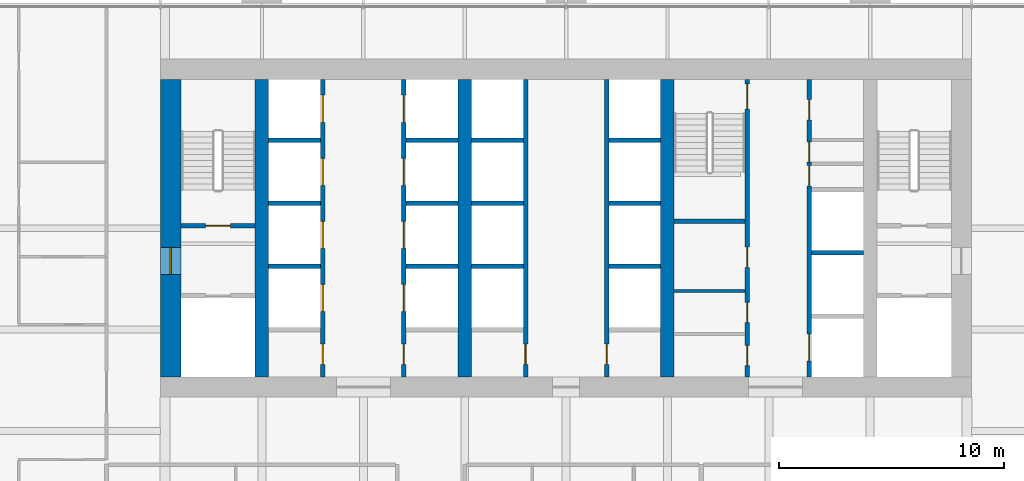
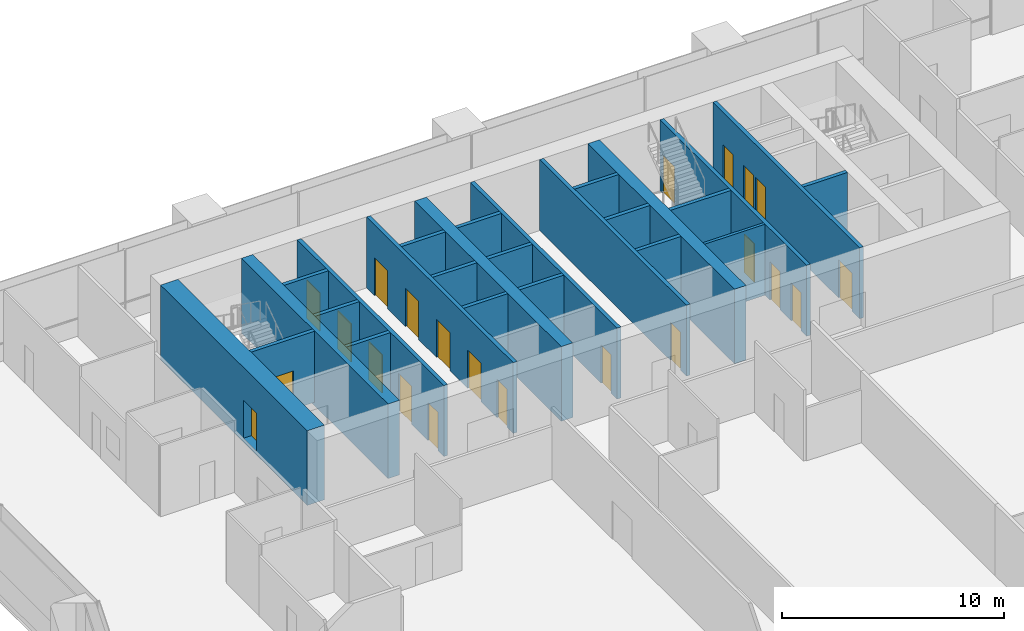
# One storey, part 13 of 19: 26 walls, 22 doors, 22 openings.
"""IFC4 building model written with IfcOpenShell, lengths in metres."""

from ifc_helpers import new_model, si_unit, direction, frame, frame_2d, origin, place, context, subcontext, project, spatial, rectangle, extrude, material, layer, layer_set, type_object, element, fill, save


model = new_model("IFC4")

# Units and contexts
model_context = context("Model", 3, precision=1e-05, world=origin(), true_north=direction((0.0, 1.0)))
body_context = subcontext(model_context, "Body", "Model", "MODEL_VIEW")
ifc_project = project(units=[si_unit("LENGTHUNIT", "METRE"), si_unit("AREAUNIT", "SQUARE_METRE"), si_unit("VOLUMEUNIT", "CUBIC_METRE"), si_unit("PLANEANGLEUNIT", "RADIAN"), si_unit("MASSUNIT", "GRAM", prefix="KILO")], contexts=[model_context])

# Site, building, storey
site_placement = place(None, origin())
site = spatial("IfcSite", under=ifc_project, at=site_placement, CompositionType="ELEMENT")
building_placement = place(site_placement, origin())
building = spatial("IfcBuilding", under=site, at=building_placement, Name="Rattan Terrace Tower", CompositionType="ELEMENT")
storey_placement = place(building_placement, frame((0.0, 0.0, 52.89990234375)))
storey = spatial("IfcBuildingStorey", under=building, at=storey_placement, Name="L11", CompositionType="ELEMENT", Elevation=52.89990234375)

# Wall
ifc_material_1 = material(Name="Gypsum board partition")
ifc_layer_1 = layer(ifc_material_1, 0.14990234375)
ifc_layer_set_1 = layer_set([ifc_layer_1], Name="Core partition 150")
wall_type_1 = type_object("IfcWallType", Name="Core partition 150", PredefinedType="PARTITIONING", material=ifc_layer_set_1)
wall_1_placement = place(storey_placement, frame((4.800048828125, -2.7919921875, 0.0), z_axis=(0.0, 0.0, 1.0), x_axis=(1.0, 0.0, 0.0)))
element("IfcWall", 1, at=wall_1_placement, inside=storey, type_object=wall_type_1, Name="Toilet wall", PredefinedType="PARTITIONING", context=body_context, shape_type="SweptSolid", body=[
    extrude(rectangle(XDim=3.14990234375, YDim=0.14990234375, at=frame_2d((1.574951171875, 0.0))), origin(), (0.0, 0.0, 1.0), 3.900146484375),
])

# Wall, opening, door
ifc_material_2 = material(Name="Gypsum board partition")
ifc_layer_2 = layer(ifc_material_2, 0.199951171875)
ifc_layer_set_2 = layer_set([ifc_layer_2], Name="Core partition 200")
wall_type_2 = type_object("IfcWallType", Name="Core partition 200", PredefinedType="PARTITIONING", material=ifc_layer_set_2)
wall_2_placement = place(storey_placement, frame((-17.10009765625, 0.10009765625, 0.0), z_axis=(0.0, 0.0, 1.0), x_axis=(1.0, 0.0, 0.0)))
wall_2 = element("IfcWall", 2, at=wall_2_placement, inside=storey, type_object=wall_type_2, Name="Stair enclosure wall", PredefinedType="PARTITIONING", context=body_context, shape_type="SweptSolid", body=[
    extrude(rectangle(XDim=3.300048828125, YDim=0.199951171875, at=frame_2d((1.64990234375, 0.0))), origin(), (0.0, 0.0, 1.0), 3.900146484375),
])
opening_1_placement = place(wall_2_placement, frame((1.10009765625, 0.0, 0.0)))
opening_1 = element("IfcOpeningElement", 3, at=opening_1_placement, cuts=wall_2, Name="Opening L11-D002", PredefinedType="OPENING", context=body_context, shape_type="SweptSolid", body=[
    extrude(rectangle(XDim=1.10009765625, YDim=2.10009765625, at=frame_2d((0.550048828125, 1.050048828125))), frame((0.0, 0.110595703125, 0.0), z_axis=(0.0, -1.0, 0.0), x_axis=(1.0, 0.0, 0.0)), (0.0, 0.0, 1.0), 0.220947265625),
])
ifc_material_3 = material(Name="Hollow-metal fire door leaf")
door_type_1 = type_object("IfcDoorType", Name="Core stair door 1100", OperationType="NOTDEFINED", PredefinedType="DOOR", material=ifc_material_3)
door_1_placement = place(opening_1_placement, origin())
door_1 = element("IfcDoor", 4, at=door_1_placement, inside=storey, type_object=door_type_1, Name="Door L11-D002", OperationType="SINGLE_SWING_RIGHT", OverallHeight=2.10009765625, OverallWidth=1.10009765625, PredefinedType="DOOR", context=body_context, shape_type="SweptSolid", body=[
    extrude(rectangle(XDim=1.10009765625, YDim=2.10009765625, at=frame_2d((0.550048828125, 1.050048828125))), frame((0.0, 0.02490234375, 0.0), z_axis=(0.0, -1.0, 0.0), x_axis=(1.0, 0.0, 0.0)), (0.0, 0.0, 1.0), 0.050048828125),
])
fill(opening_1, door_1)

# Wall, openings, doors
wall_3_placement = place(storey_placement, frame((8.050048828125, -6.60009765625, 0.0), z_axis=(0.0, 0.0, 1.0), x_axis=(0.0, 1.0, 0.0)))
wall_3 = element("IfcWall", 5, at=wall_3_placement, inside=storey, type_object=wall_type_2, Name="Lobby wall west", PredefinedType="PARTITIONING", context=body_context, shape_type="SweptSolid", body=[
    extrude(rectangle(XDim=13.2001953125, YDim=0.199951171875, at=frame_2d((6.60009765625, 0.0))), origin(), (0.0, 0.0, 1.0), 3.900146484375),
])
opening_2_placement = place(wall_3_placement, frame((0.501953125, 0.0, 0.0)))
opening_2 = element("IfcOpeningElement", 6, at=opening_2_placement, cuts=wall_3, Name="Opening L11-D011", PredefinedType="OPENING", context=body_context, shape_type="SweptSolid", body=[
    extrude(rectangle(XDim=0.89990234375, YDim=2.10009765625, at=frame_2d((0.449951171875, 1.050048828125))), frame((0.0, 0.110595703125, 0.0), z_axis=(0.0, -1.0, 0.0), x_axis=(1.0, 0.0, 0.0)), (0.0, 0.0, 1.0), 0.220947265625),
])
opening_3_placement = place(wall_3_placement, frame((2.406005859375, 0.0, 0.0)))
opening_3 = element("IfcOpeningElement", 7, at=opening_3_placement, cuts=wall_3, Name="Opening L11-D012", PredefinedType="OPENING", context=body_context, shape_type="SweptSolid", body=[
    extrude(rectangle(XDim=0.89990234375, YDim=2.10009765625, at=frame_2d((0.449951171875, 1.050048828125))), frame((0.0, 0.110595703125, 0.0), z_axis=(0.0, -1.0, 0.0), x_axis=(1.0, 0.0, 0.0)), (0.0, 0.0, 1.0), 0.220947265625),
])
opening_4_placement = place(wall_3_placement, frame((4.85400390625, 0.0, 0.0)))
opening_4 = element("IfcOpeningElement", 8, at=opening_4_placement, cuts=wall_3, Name="Opening L11-D013", PredefinedType="OPENING", context=body_context, shape_type="SweptSolid", body=[
    extrude(rectangle(XDim=0.89990234375, YDim=2.10009765625, at=frame_2d((0.449951171875, 1.050048828125))), frame((0.0, 0.110595703125, 0.0), z_axis=(0.0, -1.0, 0.0), x_axis=(1.0, 0.0, 0.0)), (0.0, 0.0, 1.0), 0.220947265625),
])
opening_5_placement = place(wall_3_placement, frame((11.89990234375, 0.0, 0.0)))
opening_5 = element("IfcOpeningElement", 9, at=opening_5_placement, cuts=wall_3, Name="Opening L11-D014", PredefinedType="OPENING", context=body_context, shape_type="SweptSolid", body=[
    extrude(rectangle(XDim=1.10009765625, YDim=2.10009765625, at=frame_2d((0.550048828125, 1.050048828125))), frame((0.0, 0.110595703125, 0.0), z_axis=(0.0, -1.0, 0.0), x_axis=(1.0, 0.0, 0.0)), (0.0, 0.0, 1.0), 0.220947265625),
])
door_2_placement = place(opening_5_placement, origin())
door_2 = element("IfcDoor", 10, at=door_2_placement, inside=storey, type_object=door_type_1, Name="Door L11-D014", OperationType="SINGLE_SWING_LEFT", OverallHeight=2.10009765625, OverallWidth=1.10009765625, PredefinedType="DOOR", context=body_context, shape_type="SweptSolid", body=[
    extrude(rectangle(XDim=1.10009765625, YDim=2.10009765625, at=frame_2d((0.550048828125, 1.050048828125))), frame((0.0, 0.02490234375, 0.0), z_axis=(0.0, -1.0, 0.0), x_axis=(1.0, 0.0, 0.0)), (0.0, 0.0, 1.0), 0.050048828125),
])
fill(opening_5, door_2)
ifc_material_4 = material(Name="Hollow-metal fire door leaf")
door_type_2 = type_object("IfcDoorType", Name="Core toilet door 900", OperationType="NOTDEFINED", PredefinedType="DOOR", material=ifc_material_4)
door_3_placement = place(opening_2_placement, origin())
door_3 = element("IfcDoor", 11, at=door_3_placement, inside=storey, type_object=door_type_2, Name="Door L11-D011", OperationType="SINGLE_SWING_RIGHT", OverallHeight=2.10009765625, OverallWidth=0.89990234375, PredefinedType="DOOR", context=body_context, shape_type="SweptSolid", body=[
    extrude(rectangle(XDim=0.89990234375, YDim=2.10009765625, at=frame_2d((0.449951171875, 1.050048828125))), frame((0.0, 0.02490234375, 0.0), z_axis=(0.0, -1.0, 0.0), x_axis=(1.0, 0.0, 0.0)), (0.0, 0.0, 1.0), 0.050048828125),
])
fill(opening_2, door_3)
door_4_placement = place(opening_3_placement, origin())
door_4 = element("IfcDoor", 12, at=door_4_placement, inside=storey, type_object=door_type_2, Name="Door L11-D012", OperationType="SINGLE_SWING_LEFT", OverallHeight=2.10009765625, OverallWidth=0.89990234375, PredefinedType="DOOR", context=body_context, shape_type="SweptSolid", body=[
    extrude(rectangle(XDim=0.89990234375, YDim=2.10009765625, at=frame_2d((0.449951171875, 1.050048828125))), frame((0.0, 0.02490234375, 0.0), z_axis=(0.0, -1.0, 0.0), x_axis=(1.0, 0.0, 0.0)), (0.0, 0.0, 1.0), 0.050048828125),
])
fill(opening_3, door_4)
door_5_placement = place(opening_4_placement, origin())
door_5 = element("IfcDoor", 13, at=door_5_placement, inside=storey, type_object=door_type_2, Name="Door L11-D013", OperationType="SINGLE_SWING_RIGHT", OverallHeight=2.10009765625, OverallWidth=0.89990234375, PredefinedType="DOOR", context=body_context, shape_type="SweptSolid", body=[
    extrude(rectangle(XDim=0.89990234375, YDim=2.10009765625, at=frame_2d((0.449951171875, 1.050048828125))), frame((0.0, 0.02490234375, 0.0), z_axis=(0.0, -1.0, 0.0), x_axis=(1.0, 0.0, 0.0)), (0.0, 0.0, 1.0), 0.050048828125),
])
fill(opening_4, door_5)

# Wall
wall_4_placement = place(storey_placement, frame((4.800048828125, 0.300048828125, 0.0), z_axis=(0.0, 0.0, 1.0), x_axis=(1.0, 0.0, 0.0)))
element("IfcWall", 14, at=wall_4_placement, inside=storey, type_object=wall_type_2, Name="Stair enclosure wall", PredefinedType="PARTITIONING", context=body_context, shape_type="SweptSolid", body=[
    extrude(rectangle(XDim=3.14990234375, YDim=0.199951171875, at=frame_2d((1.574951171875, 0.0))), origin(), (0.0, 0.0, 1.0), 3.900146484375),
])

# Wall, opening, door
ifc_material_5 = material(Name="Concrete C70/85", Category="concrete")
ifc_layer_3 = layer(ifc_material_5, 0.89990234375)
ifc_layer_set_3 = layer_set([ifc_layer_3], Name="Core ring wall 900 C70/85")
wall_type_3 = type_object("IfcWallType", Name="Core ring wall 900 C70/85", PredefinedType="SHEAR", material=ifc_layer_set_3)
wall_5_placement = place(storey_placement, frame((-17.550048828125, -6.60009765625, -0.199951171875), z_axis=(0.0, 0.0, 1.0), x_axis=(0.0, 1.0, 0.0)))
wall_5 = element("IfcWall", 15, at=wall_5_placement, inside=storey, type_object=wall_type_3, Name="Rear core wall west", PredefinedType="SHEAR", context=body_context, shape_type="SweptSolid", body=[
    extrude(rectangle(XDim=13.2001953125, YDim=0.89990234375, at=frame_2d((6.60009765625, 0.0))), origin(), (0.0, 0.0, 1.0), 4.10009765625),
])
opening_6_placement = place(wall_5_placement, frame((4.550048828125, 0.0, 0.199951171875)))
opening_6 = element("IfcOpeningElement", 16, at=opening_6_placement, cuts=wall_5, Name="Opening L11-D001", PredefinedType="OPENING", context=body_context, shape_type="SweptSolid", body=[
    extrude(rectangle(XDim=1.199951171875, YDim=2.10009765625, at=frame_2d((0.60009765625, 1.050048828125))), frame((0.0, 0.46044921875, 0.0), z_axis=(0.0, -1.0, 0.0), x_axis=(1.0, 0.0, 0.0)), (0.0, 0.0, 1.0), 0.9208984375),
])
ifc_material_6 = material(Name="Hollow-metal fire door leaf")
door_type_3 = type_object("IfcDoorType", Name="Core fire-fighting lobby door 1200", OperationType="NOTDEFINED", PredefinedType="DOOR", material=ifc_material_6)
door_6_placement = place(opening_6_placement, origin())
door_6 = element("IfcDoor", 17, at=door_6_placement, inside=storey, type_object=door_type_3, Name="Door L11-D001", OperationType="SINGLE_SWING_LEFT", OverallHeight=2.10009765625, OverallWidth=1.199951171875, PredefinedType="DOOR", context=body_context, shape_type="SweptSolid", body=[
    extrude(rectangle(XDim=1.199951171875, YDim=2.10009765625, at=frame_2d((0.60009765625, 1.050048828125))), frame((0.0, 0.02490234375, 0.0), z_axis=(0.0, -1.0, 0.0), x_axis=(1.0, 0.0, 0.0)), (0.0, 0.0, 1.0), 0.050048828125),
])
fill(opening_6, door_6)

# Walls
ifc_material_7 = material(Name="Concrete C70/85", Category="concrete")
ifc_layer_4 = layer(ifc_material_7, 0.60009765625)
ifc_layer_set_4 = layer_set([ifc_layer_4], Name="Core spine wall 600 C70/85")
wall_type_4 = type_object("IfcWallType", Name="Core spine wall 600 C70/85", PredefinedType="SHEAR", material=ifc_layer_set_4)
for number, where, z_axis, x_axis, name in (
    (18, (-13.5, -6.60009765625, -0.199951171875), (0.0, 0.0, 1.0), (0.0, 1.0, 0.0), "Core spine wall 1"),
    (19, (-4.5, -6.60009765625, -0.199951171875), (0.0, 0.0, 1.0), (0.0, 1.0, 0.0), "Core spine wall 2"),
    (20, (4.5, -6.60009765625, -0.199951171875), (0.0, 0.0, 1.0), (0.0, 1.0, 0.0), "Core spine wall 3"),
):
    element("IfcWall", number, at=place(storey_placement, frame(where, z_axis=z_axis, x_axis=x_axis)), inside=storey, type_object=wall_type_4, Name=name, PredefinedType="SHEAR", context=body_context, shape_type="SweptSolid", body=[
        extrude(rectangle(XDim=13.2001953125, YDim=0.60009765625, at=frame_2d((6.60009765625, 0.0))), origin(), (0.0, 0.0, 1.0), 4.10009765625),
    ])

# Wall, openings, doors
ifc_material_8 = material(Name="Gypsum shaft wall system")
ifc_layer_5 = layer(ifc_material_8, 0.199951171875)
ifc_layer_set_5 = layer_set([ifc_layer_5], Name="Lift shaft wall 200")
wall_type_5 = type_object("IfcWallType", Name="Lift shaft wall 200", PredefinedType="PARTITIONING", material=ifc_layer_set_5)
wall_6_placement = place(storey_placement, frame((-10.800048828125, -6.60009765625, 0.0), z_axis=(0.0, 0.0, 1.0), x_axis=(0.0, 1.0, 0.0)))
wall_6 = element("IfcWall", 21, at=wall_6_placement, inside=storey, type_object=wall_type_5, Name="Lift shaft front wall", PredefinedType="PARTITIONING", context=body_context, shape_type="SweptSolid", body=[
    extrude(rectangle(XDim=13.2001953125, YDim=0.199951171875, at=frame_2d((6.60009765625, 0.0))), origin(), (0.0, 0.0, 1.0), 3.900146484375),
])
opening_7_placement = place(wall_6_placement, frame((0.550048828125, 0.0, 0.0)))
opening_7 = element("IfcOpeningElement", 22, at=opening_7_placement, cuts=wall_6, Name="Opening L11-D005", PredefinedType="OPENING", context=body_context, shape_type="SweptSolid", body=[
    extrude(rectangle(XDim=0.89990234375, YDim=2.10009765625, at=frame_2d((0.449951171875, 1.050048828125))), frame((0.0, 0.110595703125, 0.0), z_axis=(0.0, -1.0, 0.0), x_axis=(1.0, 0.0, 0.0)), (0.0, 0.0, 1.0), 0.220947265625),
])
opening_8_placement = place(wall_6_placement, frame((2.89990234375, 0.0, 0.0)))
opening_8 = element("IfcOpeningElement", 23, at=opening_8_placement, cuts=wall_6, Name="Opening L11-LD-LR1", PredefinedType="OPENING", context=body_context, shape_type="SweptSolid", body=[
    extrude(rectangle(XDim=1.199951171875, YDim=2.10009765625, at=frame_2d((0.60009765625, 1.050048828125))), frame((0.0, 0.110595703125, 0.0), z_axis=(0.0, -1.0, 0.0), x_axis=(1.0, 0.0, 0.0)), (0.0, 0.0, 1.0), 0.220947265625),
])
opening_9_placement = place(wall_6_placement, frame((5.699951171875, 0.0, 0.0)))
opening_9 = element("IfcOpeningElement", 24, at=opening_9_placement, cuts=wall_6, Name="Opening L11-LD-LR2", PredefinedType="OPENING", context=body_context, shape_type="SweptSolid", body=[
    extrude(rectangle(XDim=1.199951171875, YDim=2.10009765625, at=frame_2d((0.60009765625, 1.050048828125))), frame((0.0, 0.110595703125, 0.0), z_axis=(0.0, -1.0, 0.0), x_axis=(1.0, 0.0, 0.0)), (0.0, 0.0, 1.0), 0.220947265625),
])
opening_10_placement = place(wall_6_placement, frame((8.5, 0.0, 0.0)))
opening_10 = element("IfcOpeningElement", 25, at=opening_10_placement, cuts=wall_6, Name="Opening L11-LD-LR3", PredefinedType="OPENING", context=body_context, shape_type="SweptSolid", body=[
    extrude(rectangle(XDim=1.199951171875, YDim=2.10009765625, at=frame_2d((0.60009765625, 1.050048828125))), frame((0.0, 0.110595703125, 0.0), z_axis=(0.0, -1.0, 0.0), x_axis=(1.0, 0.0, 0.0)), (0.0, 0.0, 1.0), 0.220947265625),
])
opening_11_placement = place(wall_6_placement, frame((11.300048828125, 0.0, 0.0)))
opening_11 = element("IfcOpeningElement", 26, at=opening_11_placement, cuts=wall_6, Name="Opening L11-LD-LR4", PredefinedType="OPENING", context=body_context, shape_type="SweptSolid", body=[
    extrude(rectangle(XDim=1.199951171875, YDim=2.10009765625, at=frame_2d((0.60009765625, 1.050048828125))), frame((0.0, 0.110595703125, 0.0), z_axis=(0.0, -1.0, 0.0), x_axis=(1.0, 0.0, 0.0)), (0.0, 0.0, 1.0), 0.220947265625),
])
ifc_material_9 = material(Name="Brushed stainless landing door panel")
door_type_4 = type_object("IfcDoorType", Name="Core lift landing door 1200", OperationType="DOUBLE_DOOR_SLIDING", PredefinedType="DOOR", material=ifc_material_9)
door_7_placement = place(opening_8_placement, origin())
door_7 = element("IfcDoor", 27, at=door_7_placement, inside=storey, type_object=door_type_4, Name="Door L11-LD-LR1", OperationType="DOUBLE_DOOR_SLIDING", OverallHeight=2.10009765625, OverallWidth=1.199951171875, PredefinedType="DOOR", context=body_context, shape_type="SweptSolid", body=[
    extrude(rectangle(XDim=1.199951171875, YDim=2.10009765625, at=frame_2d((0.60009765625, 1.050048828125))), frame((0.0, 0.02490234375, 0.0), z_axis=(0.0, -1.0, 0.0), x_axis=(1.0, 0.0, 0.0)), (0.0, 0.0, 1.0), 0.050048828125),
])
fill(opening_8, door_7)
door_8_placement = place(opening_9_placement, origin())
door_8 = element("IfcDoor", 28, at=door_8_placement, inside=storey, type_object=door_type_4, Name="Door L11-LD-LR2", OperationType="DOUBLE_DOOR_SLIDING", OverallHeight=2.10009765625, OverallWidth=1.199951171875, PredefinedType="DOOR", context=body_context, shape_type="SweptSolid", body=[
    extrude(rectangle(XDim=1.199951171875, YDim=2.10009765625, at=frame_2d((0.60009765625, 1.050048828125))), frame((0.0, 0.02490234375, 0.0), z_axis=(0.0, -1.0, 0.0), x_axis=(1.0, 0.0, 0.0)), (0.0, 0.0, 1.0), 0.050048828125),
])
fill(opening_9, door_8)
door_9_placement = place(opening_10_placement, origin())
door_9 = element("IfcDoor", 29, at=door_9_placement, inside=storey, type_object=door_type_4, Name="Door L11-LD-LR3", OperationType="DOUBLE_DOOR_SLIDING", OverallHeight=2.10009765625, OverallWidth=1.199951171875, PredefinedType="DOOR", context=body_context, shape_type="SweptSolid", body=[
    extrude(rectangle(XDim=1.199951171875, YDim=2.10009765625, at=frame_2d((0.60009765625, 1.050048828125))), frame((0.0, 0.02490234375, 0.0), z_axis=(0.0, -1.0, 0.0), x_axis=(1.0, 0.0, 0.0)), (0.0, 0.0, 1.0), 0.050048828125),
])
fill(opening_10, door_9)
door_10_placement = place(opening_11_placement, origin())
door_10 = element("IfcDoor", 30, at=door_10_placement, inside=storey, type_object=door_type_4, Name="Door L11-LD-LR4", OperationType="DOUBLE_DOOR_SLIDING", OverallHeight=2.10009765625, OverallWidth=1.199951171875, PredefinedType="DOOR", context=body_context, shape_type="SweptSolid", body=[
    extrude(rectangle(XDim=1.199951171875, YDim=2.10009765625, at=frame_2d((0.60009765625, 1.050048828125))), frame((0.0, 0.02490234375, 0.0), z_axis=(0.0, -1.0, 0.0), x_axis=(1.0, 0.0, 0.0)), (0.0, 0.0, 1.0), 0.050048828125),
])
fill(opening_11, door_10)
ifc_material_10 = material(Name="Hollow-metal fire door leaf")
door_type_5 = type_object("IfcDoorType", Name="Core riser door 900", OperationType="NOTDEFINED", PredefinedType="DOOR", material=ifc_material_10)
door_11_placement = place(opening_7_placement, origin())
door_11 = element("IfcDoor", 31, at=door_11_placement, inside=storey, type_object=door_type_5, Name="Door L11-D005", OperationType="SINGLE_SWING_LEFT", OverallHeight=2.10009765625, OverallWidth=0.89990234375, PredefinedType="DOOR", context=body_context, shape_type="SweptSolid", body=[
    extrude(rectangle(XDim=0.89990234375, YDim=2.10009765625, at=frame_2d((0.449951171875, 1.050048828125))), frame((0.0, 0.02490234375, 0.0), z_axis=(0.0, -1.0, 0.0), x_axis=(1.0, 0.0, 0.0)), (0.0, 0.0, 1.0), 0.050048828125),
])
fill(opening_7, door_11)

wall_7_placement = place(storey_placement, frame((-7.199951171875, -6.60009765625, 0.0), z_axis=(0.0, 0.0, 1.0), x_axis=(0.0, 1.0, 0.0)))
wall_7 = element("IfcWall", 32, at=wall_7_placement, inside=storey, type_object=wall_type_5, Name="Lift shaft front wall", PredefinedType="PARTITIONING", context=body_context, shape_type="SweptSolid", body=[
    extrude(rectangle(XDim=13.2001953125, YDim=0.199951171875, at=frame_2d((6.60009765625, 0.0))), origin(), (0.0, 0.0, 1.0), 3.900146484375),
])
opening_12_placement = place(wall_7_placement, frame((0.550048828125, 0.0, 0.0)))
opening_12 = element("IfcOpeningElement", 33, at=opening_12_placement, cuts=wall_7, Name="Opening L11-D006", PredefinedType="OPENING", context=body_context, shape_type="SweptSolid", body=[
    extrude(rectangle(XDim=0.89990234375, YDim=2.10009765625, at=frame_2d((0.449951171875, 1.050048828125))), frame((0.0, 0.110595703125, 0.0), z_axis=(0.0, -1.0, 0.0), x_axis=(1.0, 0.0, 0.0)), (0.0, 0.0, 1.0), 0.220947265625),
])
opening_13_placement = place(wall_7_placement, frame((2.89990234375, 0.0, 0.0)))
opening_13 = element("IfcOpeningElement", 34, at=opening_13_placement, cuts=wall_7, Name="Opening L11-LD-LR5", PredefinedType="OPENING", context=body_context, shape_type="SweptSolid", body=[
    extrude(rectangle(XDim=1.199951171875, YDim=2.10009765625, at=frame_2d((0.60009765625, 1.050048828125))), frame((0.0, 0.110595703125, 0.0), z_axis=(0.0, -1.0, 0.0), x_axis=(1.0, 0.0, 0.0)), (0.0, 0.0, 1.0), 0.220947265625),
])
opening_14_placement = place(wall_7_placement, frame((5.699951171875, 0.0, 0.0)))
opening_14 = element("IfcOpeningElement", 35, at=opening_14_placement, cuts=wall_7, Name="Opening L11-LD-LR6", PredefinedType="OPENING", context=body_context, shape_type="SweptSolid", body=[
    extrude(rectangle(XDim=1.199951171875, YDim=2.10009765625, at=frame_2d((0.60009765625, 1.050048828125))), frame((0.0, 0.110595703125, 0.0), z_axis=(0.0, -1.0, 0.0), x_axis=(1.0, 0.0, 0.0)), (0.0, 0.0, 1.0), 0.220947265625),
])
opening_15_placement = place(wall_7_placement, frame((8.5, 0.0, 0.0)))
opening_15 = element("IfcOpeningElement", 36, at=opening_15_placement, cuts=wall_7, Name="Opening L11-LD-LR7", PredefinedType="OPENING", context=body_context, shape_type="SweptSolid", body=[
    extrude(rectangle(XDim=1.199951171875, YDim=2.10009765625, at=frame_2d((0.60009765625, 1.050048828125))), frame((0.0, 0.110595703125, 0.0), z_axis=(0.0, -1.0, 0.0), x_axis=(1.0, 0.0, 0.0)), (0.0, 0.0, 1.0), 0.220947265625),
])
opening_16_placement = place(wall_7_placement, frame((11.300048828125, 0.0, 0.0)))
opening_16 = element("IfcOpeningElement", 37, at=opening_16_placement, cuts=wall_7, Name="Opening L11-LD-LR8", PredefinedType="OPENING", context=body_context, shape_type="SweptSolid", body=[
    extrude(rectangle(XDim=1.199951171875, YDim=2.10009765625, at=frame_2d((0.60009765625, 1.050048828125))), frame((0.0, 0.110595703125, 0.0), z_axis=(0.0, -1.0, 0.0), x_axis=(1.0, 0.0, 0.0)), (0.0, 0.0, 1.0), 0.220947265625),
])
door_12_placement = place(opening_13_placement, origin())
door_12 = element("IfcDoor", 38, at=door_12_placement, inside=storey, type_object=door_type_4, Name="Door L11-LD-LR5", OperationType="DOUBLE_DOOR_SLIDING", OverallHeight=2.10009765625, OverallWidth=1.199951171875, PredefinedType="DOOR", context=body_context, shape_type="SweptSolid", body=[
    extrude(rectangle(XDim=1.199951171875, YDim=2.10009765625, at=frame_2d((0.60009765625, 1.050048828125))), frame((0.0, 0.02490234375, 0.0), z_axis=(0.0, -1.0, 0.0), x_axis=(1.0, 0.0, 0.0)), (0.0, 0.0, 1.0), 0.050048828125),
])
fill(opening_13, door_12)
door_13_placement = place(opening_14_placement, origin())
door_13 = element("IfcDoor", 39, at=door_13_placement, inside=storey, type_object=door_type_4, Name="Door L11-LD-LR6", OperationType="DOUBLE_DOOR_SLIDING", OverallHeight=2.10009765625, OverallWidth=1.199951171875, PredefinedType="DOOR", context=body_context, shape_type="SweptSolid", body=[
    extrude(rectangle(XDim=1.199951171875, YDim=2.10009765625, at=frame_2d((0.60009765625, 1.050048828125))), frame((0.0, 0.02490234375, 0.0), z_axis=(0.0, -1.0, 0.0), x_axis=(1.0, 0.0, 0.0)), (0.0, 0.0, 1.0), 0.050048828125),
])
fill(opening_14, door_13)
door_14_placement = place(opening_15_placement, origin())
door_14 = element("IfcDoor", 40, at=door_14_placement, inside=storey, type_object=door_type_4, Name="Door L11-LD-LR7", OperationType="DOUBLE_DOOR_SLIDING", OverallHeight=2.10009765625, OverallWidth=1.199951171875, PredefinedType="DOOR", context=body_context, shape_type="SweptSolid", body=[
    extrude(rectangle(XDim=1.199951171875, YDim=2.10009765625, at=frame_2d((0.60009765625, 1.050048828125))), frame((0.0, 0.02490234375, 0.0), z_axis=(0.0, -1.0, 0.0), x_axis=(1.0, 0.0, 0.0)), (0.0, 0.0, 1.0), 0.050048828125),
])
fill(opening_15, door_14)
door_15_placement = place(opening_16_placement, origin())
door_15 = element("IfcDoor", 41, at=door_15_placement, inside=storey, type_object=door_type_4, Name="Door L11-LD-LR8", OperationType="DOUBLE_DOOR_SLIDING", OverallHeight=2.10009765625, OverallWidth=1.199951171875, PredefinedType="DOOR", context=body_context, shape_type="SweptSolid", body=[
    extrude(rectangle(XDim=1.199951171875, YDim=2.10009765625, at=frame_2d((0.60009765625, 1.050048828125))), frame((0.0, 0.02490234375, 0.0), z_axis=(0.0, -1.0, 0.0), x_axis=(1.0, 0.0, 0.0)), (0.0, 0.0, 1.0), 0.050048828125),
])
fill(opening_16, door_15)
door_16_placement = place(opening_12_placement, origin())
door_16 = element("IfcDoor", 42, at=door_16_placement, inside=storey, type_object=door_type_5, Name="Door L11-D006", OperationType="SINGLE_SWING_RIGHT", OverallHeight=2.10009765625, OverallWidth=0.89990234375, PredefinedType="DOOR", context=body_context, shape_type="SweptSolid", body=[
    extrude(rectangle(XDim=0.89990234375, YDim=2.10009765625, at=frame_2d((0.449951171875, 1.050048828125))), frame((0.0, 0.02490234375, 0.0), z_axis=(0.0, -1.0, 0.0), x_axis=(1.0, 0.0, 0.0)), (0.0, 0.0, 1.0), 0.050048828125),
])
fill(opening_12, door_16)

# Walls
for number, where, z_axis, x_axis, name in (
    (43, (-13.199951171875, -1.699951171875, 0.0), (0.0, 0.0, 1.0), (1.0, 0.0, 0.0), "Lift shaft wall"),
    (44, (-13.199951171875, 1.10009765625, 0.0), (0.0, 0.0, 1.0), (1.0, 0.0, 0.0), "Lift shaft wall"),
    (45, (-13.199951171875, 3.89990234375, 0.0), (0.0, 0.0, 1.0), (1.0, 0.0, 0.0), "Lift shaft wall"),
    (46, (-7.10009765625, -1.699951171875, 0.0), (0.0, 0.0, 1.0), (1.0, 0.0, 0.0), "Lift shaft wall"),
    (47, (-7.10009765625, 1.10009765625, 0.0), (0.0, 0.0, 1.0), (1.0, 0.0, 0.0), "Lift shaft wall"),
    (48, (-7.10009765625, 3.89990234375, 0.0), (0.0, 0.0, 1.0), (1.0, 0.0, 0.0), "Lift shaft wall"),
):
    element("IfcWall", number, at=place(storey_placement, frame(where, z_axis=z_axis, x_axis=x_axis)), inside=storey, type_object=wall_type_5, Name=name, PredefinedType="PARTITIONING", context=body_context, shape_type="SweptSolid", body=[
        extrude(rectangle(XDim=2.300048828125, YDim=0.199951171875, at=frame_2d((1.14990234375, 0.0))), origin(), (0.0, 0.0, 1.0), 3.900146484375),
    ])

# Wall, opening, door
wall_8_placement = place(storey_placement, frame((-1.800048828125, -6.60009765625, 0.0), z_axis=(0.0, 0.0, 1.0), x_axis=(0.0, 1.0, 0.0)))
wall_8 = element("IfcWall", 49, at=wall_8_placement, inside=storey, type_object=wall_type_5, Name="Lift shaft front wall", PredefinedType="PARTITIONING", context=body_context, shape_type="SweptSolid", body=[
    extrude(rectangle(XDim=13.2001953125, YDim=0.199951171875, at=frame_2d((6.60009765625, 0.0))), origin(), (0.0, 0.0, 1.0), 3.900146484375),
])
opening_17_placement = place(wall_8_placement, frame((0.550048828125, 0.0, 0.0)))
opening_17 = element("IfcOpeningElement", 50, at=opening_17_placement, cuts=wall_8, Name="Opening L11-D008", PredefinedType="OPENING", context=body_context, shape_type="SweptSolid", body=[
    extrude(rectangle(XDim=0.89990234375, YDim=2.10009765625, at=frame_2d((0.449951171875, 1.050048828125))), frame((0.0, 0.110595703125, 0.0), z_axis=(0.0, -1.0, 0.0), x_axis=(1.0, 0.0, 0.0)), (0.0, 0.0, 1.0), 0.220947265625),
])
door_17_placement = place(opening_17_placement, origin())
door_17 = element("IfcDoor", 51, at=door_17_placement, inside=storey, type_object=door_type_5, Name="Door L11-D008", OperationType="SINGLE_SWING_LEFT", OverallHeight=2.10009765625, OverallWidth=0.89990234375, PredefinedType="DOOR", context=body_context, shape_type="SweptSolid", body=[
    extrude(rectangle(XDim=0.89990234375, YDim=2.10009765625, at=frame_2d((0.449951171875, 1.050048828125))), frame((0.0, 0.02490234375, 0.0), z_axis=(0.0, -1.0, 0.0), x_axis=(1.0, 0.0, 0.0)), (0.0, 0.0, 1.0), 0.050048828125),
])
fill(opening_17, door_17)

wall_9_placement = place(storey_placement, frame((1.800048828125, -6.60009765625, 0.0), z_axis=(0.0, 0.0, 1.0), x_axis=(0.0, 1.0, 0.0)))
wall_9 = element("IfcWall", 52, at=wall_9_placement, inside=storey, type_object=wall_type_5, Name="Lift shaft front wall", PredefinedType="PARTITIONING", context=body_context, shape_type="SweptSolid", body=[
    extrude(rectangle(XDim=13.2001953125, YDim=0.199951171875, at=frame_2d((6.60009765625, 0.0))), origin(), (0.0, 0.0, 1.0), 3.900146484375),
])
opening_18_placement = place(wall_9_placement, frame((0.550048828125, 0.0, 0.0)))
opening_18 = element("IfcOpeningElement", 53, at=opening_18_placement, cuts=wall_9, Name="Opening L11-D009", PredefinedType="OPENING", context=body_context, shape_type="SweptSolid", body=[
    extrude(rectangle(XDim=0.89990234375, YDim=2.10009765625, at=frame_2d((0.449951171875, 1.050048828125))), frame((0.0, 0.110595703125, 0.0), z_axis=(0.0, -1.0, 0.0), x_axis=(1.0, 0.0, 0.0)), (0.0, 0.0, 1.0), 0.220947265625),
])
door_18_placement = place(opening_18_placement, origin())
door_18 = element("IfcDoor", 54, at=door_18_placement, inside=storey, type_object=door_type_5, Name="Door L11-D009", OperationType="SINGLE_SWING_RIGHT", OverallHeight=2.10009765625, OverallWidth=0.89990234375, PredefinedType="DOOR", context=body_context, shape_type="SweptSolid", body=[
    extrude(rectangle(XDim=0.89990234375, YDim=2.10009765625, at=frame_2d((0.449951171875, 1.050048828125))), frame((0.0, 0.02490234375, 0.0), z_axis=(0.0, -1.0, 0.0), x_axis=(1.0, 0.0, 0.0)), (0.0, 0.0, 1.0), 0.050048828125),
])
fill(opening_18, door_18)

# Walls
for number, where, z_axis, x_axis, name in (
    (55, (-4.199951171875, -1.699951171875, 0.0), (0.0, 0.0, 1.0), (1.0, 0.0, 0.0), "Lift shaft wall"),
    (56, (-4.199951171875, 1.10009765625, 0.0), (0.0, 0.0, 1.0), (1.0, 0.0, 0.0), "Lift shaft wall"),
    (57, (-4.199951171875, 3.89990234375, 0.0), (0.0, 0.0, 1.0), (1.0, 0.0, 0.0), "Lift shaft wall"),
    (58, (1.89990234375, -1.699951171875, 0.0), (0.0, 0.0, 1.0), (1.0, 0.0, 0.0), "Lift shaft wall"),
    (59, (1.89990234375, 1.10009765625, 0.0), (0.0, 0.0, 1.0), (1.0, 0.0, 0.0), "Lift shaft wall"),
    (60, (1.89990234375, 3.89990234375, 0.0), (0.0, 0.0, 1.0), (1.0, 0.0, 0.0), "Lift shaft wall"),
):
    element("IfcWall", number, at=place(storey_placement, frame(where, z_axis=z_axis, x_axis=x_axis)), inside=storey, type_object=wall_type_5, Name=name, PredefinedType="PARTITIONING", context=body_context, shape_type="SweptSolid", body=[
        extrude(rectangle(XDim=2.300048828125, YDim=0.199951171875, at=frame_2d((1.14990234375, 0.0))), origin(), (0.0, 0.0, 1.0), 3.900146484375),
    ])

# Wall, openings, doors
wall_10_placement = place(storey_placement, frame((10.800048828125, -6.60009765625, 0.0), z_axis=(0.0, 0.0, 1.0), x_axis=(0.0, 1.0, 0.0)))
wall_10 = element("IfcWall", 61, at=wall_10_placement, inside=storey, type_object=wall_type_5, Name="Lift shaft front wall", PredefinedType="PARTITIONING", context=body_context, shape_type="SweptSolid", body=[
    extrude(rectangle(XDim=13.2001953125, YDim=0.199951171875, at=frame_2d((6.60009765625, 0.0))), origin(), (0.0, 0.0, 1.0), 3.900146484375),
])
opening_19_placement = place(wall_10_placement, frame((0.699951171875, 0.0, 0.0)))
opening_19 = element("IfcOpeningElement", 62, at=opening_19_placement, cuts=wall_10, Name="Opening L11-LD-SV1", PredefinedType="OPENING", context=body_context, shape_type="SweptSolid", body=[
    extrude(rectangle(XDim=1.199951171875, YDim=2.10009765625, at=frame_2d((0.60009765625, 1.050048828125))), frame((0.0, 0.110595703125, 0.0), z_axis=(0.0, -1.0, 0.0), x_axis=(1.0, 0.0, 0.0)), (0.0, 0.0, 1.0), 0.220947265625),
])
opening_20_placement = place(wall_10_placement, frame((8.47802734375, 0.0, 0.0)))
opening_20 = element("IfcOpeningElement", 63, at=opening_20_placement, cuts=wall_10, Name="Opening L11-D016", PredefinedType="OPENING", context=body_context, shape_type="SweptSolid", body=[
    extrude(rectangle(XDim=0.89990234375, YDim=2.10009765625, at=frame_2d((0.449951171875, 1.050048828125))), frame((0.0, 0.110595703125, 0.0), z_axis=(0.0, -1.0, 0.0), x_axis=(1.0, 0.0, 0.0)), (0.0, 0.0, 1.0), 0.220947265625),
])
opening_21_placement = place(wall_10_placement, frame((9.533935546875, 0.0, 0.0)))
opening_21 = element("IfcOpeningElement", 64, at=opening_21_placement, cuts=wall_10, Name="Opening L11-D017", PredefinedType="OPENING", context=body_context, shape_type="SweptSolid", body=[
    extrude(rectangle(XDim=0.89990234375, YDim=2.10009765625, at=frame_2d((0.449951171875, 1.050048828125))), frame((0.0, 0.110595703125, 0.0), z_axis=(0.0, -1.0, 0.0), x_axis=(1.0, 0.0, 0.0)), (0.0, 0.0, 1.0), 0.220947265625),
])
opening_22_placement = place(wall_10_placement, frame((11.406005859375, 0.0, 0.0)))
opening_22 = element("IfcOpeningElement", 65, at=opening_22_placement, cuts=wall_10, Name="Opening L11-D018", PredefinedType="OPENING", context=body_context, shape_type="SweptSolid", body=[
    extrude(rectangle(XDim=0.89990234375, YDim=2.10009765625, at=frame_2d((0.449951171875, 1.050048828125))), frame((0.0, 0.110595703125, 0.0), z_axis=(0.0, -1.0, 0.0), x_axis=(1.0, 0.0, 0.0)), (0.0, 0.0, 1.0), 0.220947265625),
])
door_19_placement = place(opening_19_placement, origin())
door_19 = element("IfcDoor", 66, at=door_19_placement, inside=storey, type_object=door_type_4, Name="Door L11-LD-SV1", OperationType="DOUBLE_DOOR_SLIDING", OverallHeight=2.10009765625, OverallWidth=1.199951171875, PredefinedType="DOOR", context=body_context, shape_type="SweptSolid", body=[
    extrude(rectangle(XDim=1.199951171875, YDim=2.10009765625, at=frame_2d((0.60009765625, 1.050048828125))), frame((0.0, 0.02490234375, 0.0), z_axis=(0.0, -1.0, 0.0), x_axis=(1.0, 0.0, 0.0)), (0.0, 0.0, 1.0), 0.050048828125),
])
fill(opening_19, door_19)
door_20_placement = place(opening_20_placement, origin())
door_20 = element("IfcDoor", 67, at=door_20_placement, inside=storey, type_object=door_type_5, Name="Door L11-D016", OperationType="SINGLE_SWING_RIGHT", OverallHeight=2.10009765625, OverallWidth=0.89990234375, PredefinedType="DOOR", context=body_context, shape_type="SweptSolid", body=[
    extrude(rectangle(XDim=0.89990234375, YDim=2.10009765625, at=frame_2d((0.449951171875, 1.050048828125))), frame((0.0, 0.02490234375, 0.0), z_axis=(0.0, -1.0, 0.0), x_axis=(1.0, 0.0, 0.0)), (0.0, 0.0, 1.0), 0.050048828125),
])
fill(opening_20, door_20)
door_21_placement = place(opening_21_placement, origin())
door_21 = element("IfcDoor", 68, at=door_21_placement, inside=storey, type_object=door_type_5, Name="Door L11-D017", OperationType="SINGLE_SWING_LEFT", OverallHeight=2.10009765625, OverallWidth=0.89990234375, PredefinedType="DOOR", context=body_context, shape_type="SweptSolid", body=[
    extrude(rectangle(XDim=0.89990234375, YDim=2.10009765625, at=frame_2d((0.449951171875, 1.050048828125))), frame((0.0, 0.02490234375, 0.0), z_axis=(0.0, -1.0, 0.0), x_axis=(1.0, 0.0, 0.0)), (0.0, 0.0, 1.0), 0.050048828125),
])
fill(opening_21, door_21)
ifc_material_11 = material(Name="Hollow-metal fire door leaf")
door_type_6 = type_object("IfcDoorType", Name="Core service room door 900", OperationType="NOTDEFINED", PredefinedType="DOOR", material=ifc_material_11)
door_22_placement = place(opening_22_placement, origin())
door_22 = element("IfcDoor", 69, at=door_22_placement, inside=storey, type_object=door_type_6, Name="Door L11-D018", OperationType="SINGLE_SWING_RIGHT", OverallHeight=2.10009765625, OverallWidth=0.89990234375, PredefinedType="DOOR", context=body_context, shape_type="SweptSolid", body=[
    extrude(rectangle(XDim=0.89990234375, YDim=2.10009765625, at=frame_2d((0.449951171875, 1.050048828125))), frame((0.0, 0.02490234375, 0.0), z_axis=(0.0, -1.0, 0.0), x_axis=(1.0, 0.0, 0.0)), (0.0, 0.0, 1.0), 0.050048828125),
])
fill(opening_22, door_22)

# Wall
wall_11_placement = place(storey_placement, frame((10.89990234375, -1.10009765625, 0.0), z_axis=(0.0, 0.0, 1.0), x_axis=(1.0, 0.0, 0.0)))
element("IfcWall", 70, at=wall_11_placement, inside=storey, type_object=wall_type_5, Name="Lift shaft wall", PredefinedType="PARTITIONING", context=body_context, shape_type="SweptSolid", body=[
    extrude(rectangle(XDim=2.300048828125, YDim=0.199951171875, at=frame_2d((1.14990234375, 0.0))), origin(), (0.0, 0.0, 1.0), 3.900146484375),
])

save(model, "model.ifc")
